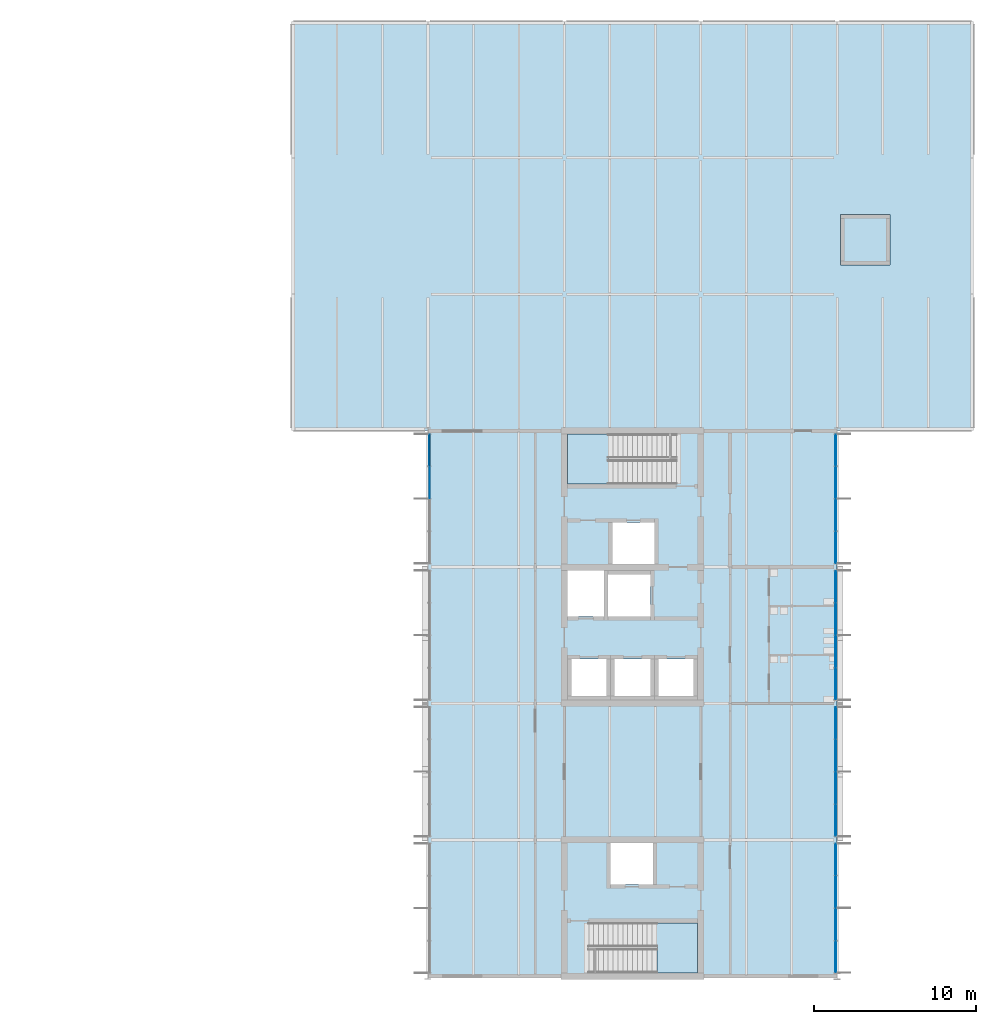
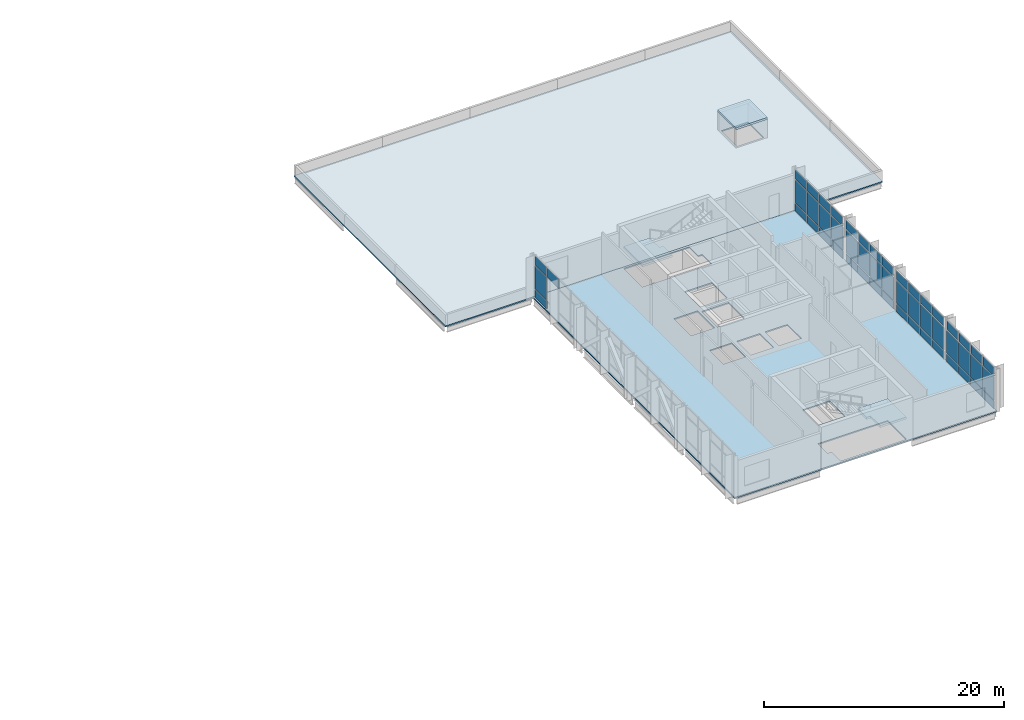
# One storey, part 12 of 26: 52 plates, 5 slabs, 7 elements without a shape of their own.
"""IFC4 building model written with IfcOpenShell, lengths in metres."""

from ifc_helpers import new_model, si_unit, direction, frame, origin, origin_2d, place, context, subcontext, project, spatial, polyline, rectangle, outline, extrude, material, layer, layer_set, type_object, element, aggregate, save


model = new_model("IFC4")

# Units and contexts
model_context = context("Model", 3, precision=1e-05, world=origin(), true_north=direction((0.0, 1.0)))
body_context = subcontext(model_context, "Body", "Model", "MODEL_VIEW")
ifc_project = project(units=[si_unit("LENGTHUNIT", "METRE"), si_unit("AREAUNIT", "SQUARE_METRE"), si_unit("VOLUMEUNIT", "CUBIC_METRE"), si_unit("PLANEANGLEUNIT", "RADIAN"), si_unit("MASSUNIT", "GRAM", prefix="KILO")], contexts=[model_context])

# Site, building, storey
site_placement = place(None, origin())
site = spatial("IfcSite", under=ifc_project, at=site_placement, CompositionType="ELEMENT")
building_placement = place(site_placement, origin())
building = spatial("IfcBuilding", under=site, at=building_placement, Name="Hlaing Beacon Police Headquarters", CompositionType="ELEMENT")
storey_placement = place(building_placement, frame((0.0, 0.0, 23.39990234375)))
storey = spatial("IfcBuildingStorey", under=building, at=storey_placement, Name="L05", CompositionType="ELEMENT", Elevation=23.39990234375)

# Curtain wall, plates
ifc_material_1 = material(Name="Aluminium frame with solar control glazing", Category="aluminium")
curtain_wall_type_1 = type_object("IfcCurtainWallType", Name="Unitised curtain wall 8.02 x 4.37", PredefinedType="NOTDEFINED", material=ifc_material_1)
curtain_wall_1_placement = place(storey_placement, origin())
curtain_wall_1 = element("IfcCurtainWall", 1, at=curtain_wall_1_placement, inside=storey, type_object=curtain_wall_type_1, Name="ENV-CW-L05-E001", PredefinedType="NOTDEFINED")
ifc_material_2 = material(Name="Solar control glazing", Category="glass")
ifc_layer_1 = layer(ifc_material_2, 0.0439453125)
ifc_layer_set_1 = layer_set([ifc_layer_1], Name="Solar control glazing")
plate_type_1 = type_object("IfcPlateType", Name="Clear glazing panel 44", PredefinedType="CURTAIN_PANEL", material=ifc_layer_set_1)
plate_1_placement = place(storey_placement, frame((125.89990234375, 36.802978515625, 0.9501953125), z_axis=(0.0, 0.0, 1.0), x_axis=(0.0, 1.0, 0.0)))
plate_1 = element("IfcPlate", 2, at=plate_1_placement, type_object=plate_type_1, Name="CW-L05-E001 panel 2.2", PredefinedType="CURTAIN_PANEL", context=body_context, shape_type="SweptSolid", body=[
    extrude(rectangle(XDim=1.944091796875, YDim=0.0439453125, at=origin_2d()), origin(), (0.0, 0.0, 1.0), 2.300048828125),
])
plate_2_placement = place(storey_placement, frame((125.89990234375, 40.796142578125, 0.9501953125), z_axis=(0.0, 0.0, 1.0), x_axis=(0.0, 1.0, 0.0)))
plate_2 = element("IfcPlate", 3, at=plate_2_placement, type_object=plate_type_1, Name="CW-L05-E001 panel 4.2", PredefinedType="CURTAIN_PANEL", context=body_context, shape_type="SweptSolid", body=[
    extrude(rectangle(XDim=1.9140625, YDim=0.0439453125, at=origin_2d()), origin(), (0.0, 0.0, 1.0), 2.300048828125),
])

ifc_material_3 = material(Name="Aluminium frame with solar control glazing", Category="aluminium")
curtain_wall_type_2 = type_object("IfcCurtainWallType", Name="Unitised curtain wall 8.03 x 4.37", PredefinedType="NOTDEFINED", material=ifc_material_3)
curtain_wall_2_placement = place(storey_placement, origin())
curtain_wall_2 = element("IfcCurtainWall", 4, at=curtain_wall_2_placement, inside=storey, type_object=curtain_wall_type_2, Name="ENV-CW-L05-E002", PredefinedType="NOTDEFINED")
plate_3_placement = place(storey_placement, frame((125.909912109375, 45.19677734375, 0.9501953125), z_axis=(0.0, 0.0, 1.0), x_axis=(0.0, 1.0, 0.0)))
plate_3 = element("IfcPlate", 5, at=plate_3_placement, type_object=plate_type_1, Name="CW-L05-E002 panel 2.2", PredefinedType="CURTAIN_PANEL", context=body_context, shape_type="SweptSolid", body=[
    extrude(rectangle(XDim=1.946533203125, YDim=0.0439453125, at=origin_2d()), origin(), (0.0, 0.0, 1.0), 2.300048828125),
])
plate_4_placement = place(storey_placement, frame((125.909912109375, 49.195068359375, 0.9501953125), z_axis=(0.0, 0.0, 1.0), x_axis=(0.0, 1.0, 0.0)))
plate_4 = element("IfcPlate", 6, at=plate_4_placement, type_object=plate_type_1, Name="CW-L05-E002 panel 4.2", PredefinedType="CURTAIN_PANEL", context=body_context, shape_type="SweptSolid", body=[
    extrude(rectangle(XDim=1.916748046875, YDim=0.0439453125, at=origin_2d()), origin(), (0.0, 0.0, 1.0), 2.300048828125),
])

curtain_wall_3_placement = place(storey_placement, origin())
curtain_wall_3 = element("IfcCurtainWall", 7, at=curtain_wall_3_placement, inside=storey, type_object=curtain_wall_type_2, Name="ENV-CW-L05-E003", PredefinedType="NOTDEFINED")
plate_5_placement = place(storey_placement, frame((125.909912109375, 53.5966796875, 0.9501953125), z_axis=(0.0, 0.0, 1.0), x_axis=(0.0, 1.0, 0.0)))
plate_5 = element("IfcPlate", 8, at=plate_5_placement, type_object=plate_type_1, Name="CW-L05-E003 panel 2.2", PredefinedType="CURTAIN_PANEL", context=body_context, shape_type="SweptSolid", body=[
    extrude(rectangle(XDim=1.946533203125, YDim=0.0439453125, at=origin_2d()), origin(), (0.0, 0.0, 1.0), 2.300048828125),
])
plate_6_placement = place(storey_placement, frame((125.909912109375, 57.594970703125, 0.9501953125), z_axis=(0.0, 0.0, 1.0), x_axis=(0.0, 1.0, 0.0)))
plate_6 = element("IfcPlate", 9, at=plate_6_placement, type_object=plate_type_1, Name="CW-L05-E003 panel 4.2", PredefinedType="CURTAIN_PANEL", context=body_context, shape_type="SweptSolid", body=[
    extrude(rectangle(XDim=1.916748046875, YDim=0.0439453125, at=origin_2d()), origin(), (0.0, 0.0, 1.0), 2.300048828125),
])

curtain_wall_4_placement = place(storey_placement, origin())
curtain_wall_4 = element("IfcCurtainWall", 10, at=curtain_wall_4_placement, inside=storey, type_object=curtain_wall_type_2, Name="ENV-CW-L05-E004", PredefinedType="NOTDEFINED")
plate_7_placement = place(storey_placement, frame((125.89990234375, 61.99853515625, 0.9501953125), z_axis=(0.0, 0.0, 1.0), x_axis=(0.0, 1.0, 0.0)))
plate_7 = element("IfcPlate", 11, at=plate_7_placement, type_object=plate_type_1, Name="CW-L05-E004 panel 2.2", PredefinedType="CURTAIN_PANEL", context=body_context, shape_type="SweptSolid", body=[
    extrude(rectangle(XDim=1.947998046875, YDim=0.0439453125, at=origin_2d()), origin(), (0.0, 0.0, 1.0), 2.300048828125),
])
plate_8_placement = place(storey_placement, frame((125.89990234375, 65.99951171875, 0.9501953125), z_axis=(0.0, 0.0, 1.0), x_axis=(0.0, 1.0, 0.0)))
plate_8 = element("IfcPlate", 12, at=plate_8_placement, type_object=plate_type_1, Name="CW-L05-E004 panel 4.2", PredefinedType="CURTAIN_PANEL", context=body_context, shape_type="SweptSolid", body=[
    extrude(rectangle(XDim=1.91796875, YDim=0.0439453125, at=origin_2d()), origin(), (0.0, 0.0, 1.0), 2.300048828125),
])

# Slab
ifc_material_4 = material(Name="Concrete C40/50", Category="concrete")
ifc_layer_2 = layer(ifc_material_4, 0.1298828125)
ifc_layer_set_2 = layer_set([ifc_layer_2], Name="Concrete C40/50")
slab_type_1 = type_object("IfcSlabType", Name="Composite deck slab 130", PredefinedType="FLOOR", material=ifc_layer_set_2)
slab_1_placement = place(storey_placement, frame((0.0, 0.0, -0.1298828125)))
element("IfcSlab", 13, at=slab_1_placement, inside=storey, type_object=slab_type_1, Name="STR-SLAB-L05-02", PredefinedType="FLOOR", context=body_context, shape_type="SweptSolid", body=[
    extrude(outline(polyline([(100.800048828125, 33.60009765625), (126.0, 33.60009765625), (126.0, 67.199951171875), (100.800048828125, 67.199951171875), (100.800048828125, 33.60009765625)]), holes=[polyline([(109.39990234375, 55.75), (111.64990234375, 55.75), (111.64990234375, 58.60009765625), (109.39990234375, 58.60009765625), (109.39990234375, 55.75)]), polyline([(109.39990234375, 63.89990234375), (116.090087890625, 63.89990234375), (116.090087890625, 65.5), (115.699951171875, 65.5), (115.699951171875, 67.0), (109.39990234375, 67.0), (109.39990234375, 63.89990234375)]), polyline([(109.64990234375, 50.85009765625), (111.800048828125, 50.85009765625), (111.800048828125, 53.14990234375), (109.64990234375, 53.14990234375), (109.64990234375, 50.85009765625)]), polyline([(111.10009765625, 33.800048828125), (117.39990234375, 33.800048828125), (117.39990234375, 36.89990234375), (110.7099609375, 36.89990234375), (110.7099609375, 35.300048828125), (111.10009765625, 35.300048828125), (111.10009765625, 33.800048828125)]), polyline([(111.89990234375, 55.75), (114.5, 55.75), (114.5, 58.35009765625), (111.89990234375, 58.35009765625), (111.89990234375, 55.75)]), polyline([(112.050048828125, 39.25), (114.64990234375, 39.25), (114.64990234375, 41.800048828125), (112.050048828125, 41.800048828125), (112.050048828125, 39.25)]), polyline([(112.14990234375, 59.0), (114.75, 59.0), (114.75, 61.550048828125), (112.14990234375, 61.550048828125), (112.14990234375, 59.0)]), polyline([(112.300048828125, 50.85009765625), (114.5, 50.85009765625), (114.5, 53.14990234375), (112.300048828125, 53.14990234375), (112.300048828125, 50.85009765625)]), polyline([(115.0, 50.85009765625), (117.14990234375, 50.85009765625), (117.14990234375, 53.14990234375), (115.0, 53.14990234375), (115.0, 50.85009765625)])]), origin(), (0.0, 0.0, 1.0), 0.1298828125),
])

# Plate
ifc_material_5 = material(Name="Fritted solar control glazing", Category="glass")
ifc_layer_3 = layer(ifc_material_5, 0.0439453125)
ifc_layer_set_3 = layer_set([ifc_layer_3], Name="Fritted solar control glazing")
plate_type_2 = type_object("IfcPlateType", Name="Fritted glazing panel 44", PredefinedType="CURTAIN_PANEL", material=ifc_layer_set_3)
plate_9_placement = place(storey_placement, frame((125.89990234375, 34.81396484375, 0.9501953125), z_axis=(0.0, 0.0, 1.0), x_axis=(0.0, 1.0, 0.0)))
plate_9 = element("IfcPlate", 14, at=plate_9_placement, type_object=plate_type_2, Name="CW-L05-E001 panel 1.2", PredefinedType="CURTAIN_PANEL", context=body_context, shape_type="SweptSolid", body=[
    extrude(rectangle(XDim=1.9140625, YDim=0.0439453125, at=origin_2d()), origin(), (0.0, 0.0, 1.0), 2.300048828125),
])

plate_10_placement = place(storey_placement, frame((125.89990234375, 38.80712890625, 0.9501953125), z_axis=(0.0, 0.0, 1.0), x_axis=(0.0, 1.0, 0.0)))
plate_10 = element("IfcPlate", 15, at=plate_10_placement, type_object=plate_type_2, Name="CW-L05-E001 panel 3.2", PredefinedType="CURTAIN_PANEL", context=body_context, shape_type="SweptSolid", body=[
    extrude(rectangle(XDim=1.944091796875, YDim=0.0439453125, at=origin_2d()), origin(), (0.0, 0.0, 1.0), 2.300048828125),
])

plate_11_placement = place(storey_placement, frame((125.909912109375, 43.205078125, 0.9501953125), z_axis=(0.0, 0.0, 1.0), x_axis=(0.0, 1.0, 0.0)))
plate_11 = element("IfcPlate", 16, at=plate_11_placement, type_object=plate_type_2, Name="CW-L05-E002 panel 1.2", PredefinedType="CURTAIN_PANEL", context=body_context, shape_type="SweptSolid", body=[
    extrude(rectangle(XDim=1.916748046875, YDim=0.0439453125, at=origin_2d()), origin(), (0.0, 0.0, 1.0), 2.300048828125),
])

plate_12_placement = place(storey_placement, frame((125.909912109375, 47.203369140625, 0.9501953125), z_axis=(0.0, 0.0, 1.0), x_axis=(0.0, 1.0, 0.0)))
plate_12 = element("IfcPlate", 17, at=plate_12_placement, type_object=plate_type_2, Name="CW-L05-E002 panel 3.2", PredefinedType="CURTAIN_PANEL", context=body_context, shape_type="SweptSolid", body=[
    extrude(rectangle(XDim=1.946533203125, YDim=0.0439453125, at=origin_2d()), origin(), (0.0, 0.0, 1.0), 2.300048828125),
])

plate_13_placement = place(storey_placement, frame((125.909912109375, 51.60498046875, 0.9501953125), z_axis=(0.0, 0.0, 1.0), x_axis=(0.0, 1.0, 0.0)))
plate_13 = element("IfcPlate", 18, at=plate_13_placement, type_object=plate_type_2, Name="CW-L05-E003 panel 1.2", PredefinedType="CURTAIN_PANEL", context=body_context, shape_type="SweptSolid", body=[
    extrude(rectangle(XDim=1.916748046875, YDim=0.0439453125, at=origin_2d()), origin(), (0.0, 0.0, 1.0), 2.300048828125),
])

plate_14_placement = place(storey_placement, frame((125.909912109375, 55.603271484375, 0.9501953125), z_axis=(0.0, 0.0, 1.0), x_axis=(0.0, 1.0, 0.0)))
plate_14 = element("IfcPlate", 19, at=plate_14_placement, type_object=plate_type_2, Name="CW-L05-E003 panel 3.2", PredefinedType="CURTAIN_PANEL", context=body_context, shape_type="SweptSolid", body=[
    extrude(rectangle(XDim=1.946533203125, YDim=0.0439453125, at=origin_2d()), origin(), (0.0, 0.0, 1.0), 2.300048828125),
])

plate_15_placement = place(storey_placement, frame((125.89990234375, 60.005615234375, 0.9501953125), z_axis=(0.0, 0.0, 1.0), x_axis=(0.0, 1.0, 0.0)))
plate_15 = element("IfcPlate", 20, at=plate_15_placement, type_object=plate_type_2, Name="CW-L05-E004 panel 1.2", PredefinedType="CURTAIN_PANEL", context=body_context, shape_type="SweptSolid", body=[
    extrude(rectangle(XDim=1.91796875, YDim=0.0439453125, at=origin_2d()), origin(), (0.0, 0.0, 1.0), 2.300048828125),
])

plate_16_placement = place(storey_placement, frame((125.89990234375, 64.006591796875, 0.9501953125), z_axis=(0.0, 0.0, 1.0), x_axis=(0.0, 1.0, 0.0)))
plate_16 = element("IfcPlate", 21, at=plate_16_placement, type_object=plate_type_2, Name="CW-L05-E004 panel 3.2", PredefinedType="CURTAIN_PANEL", context=body_context, shape_type="SweptSolid", body=[
    extrude(rectangle(XDim=1.947998046875, YDim=0.0439453125, at=origin_2d()), origin(), (0.0, 0.0, 1.0), 2.300048828125),
])

# Curtain wall, plate
curtain_wall_5_placement = place(storey_placement, origin())
curtain_wall_5 = element("IfcCurtainWall", 22, at=curtain_wall_5_placement, inside=storey, type_object=curtain_wall_type_2, Name="ENV-CW-L05-W005", PredefinedType="NOTDEFINED")
plate_17_placement = place(storey_placement, frame((100.89990234375, 65.99951171875, 0.9501953125), z_axis=(0.0, 0.0, 1.0), x_axis=(0.0, -1.0, 0.0)))
plate_17 = element("IfcPlate", 23, at=plate_17_placement, type_object=plate_type_2, Name="CW-L05-W005 panel 1.2", PredefinedType="CURTAIN_PANEL", context=body_context, shape_type="SweptSolid", body=[
    extrude(rectangle(XDim=1.91796875, YDim=0.0439453125, at=origin_2d()), origin(), (0.0, 0.0, 1.0), 2.300048828125),
])

# Plate
ifc_material_6 = material(Name="Insulated aluminium spandrel", Category="aluminium")
ifc_layer_4 = layer(ifc_material_6, 0.06005859375)
ifc_layer_set_4 = layer_set([ifc_layer_4], Name="Insulated aluminium spandrel")
plate_type_3 = type_object("IfcPlateType", Name="Insulated spandrel panel 60", PredefinedType="CURTAIN_PANEL", material=ifc_layer_set_4)
plate_18_placement = place(storey_placement, frame((125.89990234375, 34.81396484375, 0.10009765625), z_axis=(0.0, 0.0, 1.0), x_axis=(0.0, 1.0, 0.0)))
plate_18 = element("IfcPlate", 24, at=plate_18_placement, type_object=plate_type_3, Name="CW-L05-E001 panel 1.1", PredefinedType="CURTAIN_PANEL", context=body_context, shape_type="SweptSolid", body=[
    extrude(rectangle(XDim=1.9140625, YDim=0.06005859375, at=origin_2d()), origin(), (0.0, 0.0, 1.0), 0.75),
])

plate_19_placement = place(storey_placement, frame((125.89990234375, 36.802978515625, 0.10009765625), z_axis=(0.0, 0.0, 1.0), x_axis=(0.0, 1.0, 0.0)))
plate_19 = element("IfcPlate", 25, at=plate_19_placement, type_object=plate_type_3, Name="CW-L05-E001 panel 2.1", PredefinedType="CURTAIN_PANEL", context=body_context, shape_type="SweptSolid", body=[
    extrude(rectangle(XDim=1.944091796875, YDim=0.06005859375, at=origin_2d()), origin(), (0.0, 0.0, 1.0), 0.75),
])

plate_20_placement = place(storey_placement, frame((125.89990234375, 38.80712890625, 0.10009765625), z_axis=(0.0, 0.0, 1.0), x_axis=(0.0, 1.0, 0.0)))
plate_20 = element("IfcPlate", 26, at=plate_20_placement, type_object=plate_type_3, Name="CW-L05-E001 panel 3.1", PredefinedType="CURTAIN_PANEL", context=body_context, shape_type="SweptSolid", body=[
    extrude(rectangle(XDim=1.944091796875, YDim=0.06005859375, at=origin_2d()), origin(), (0.0, 0.0, 1.0), 0.75),
])

plate_21_placement = place(storey_placement, frame((125.89990234375, 40.796142578125, 0.10009765625), z_axis=(0.0, 0.0, 1.0), x_axis=(0.0, 1.0, 0.0)))
plate_21 = element("IfcPlate", 27, at=plate_21_placement, type_object=plate_type_3, Name="CW-L05-E001 panel 4.1", PredefinedType="CURTAIN_PANEL", context=body_context, shape_type="SweptSolid", body=[
    extrude(rectangle(XDim=1.9140625, YDim=0.06005859375, at=origin_2d()), origin(), (0.0, 0.0, 1.0), 0.75),
])

plate_22_placement = place(storey_placement, frame((125.909912109375, 43.205078125, 0.10009765625), z_axis=(0.0, 0.0, 1.0), x_axis=(0.0, 1.0, 0.0)))
plate_22 = element("IfcPlate", 28, at=plate_22_placement, type_object=plate_type_3, Name="CW-L05-E002 panel 1.1", PredefinedType="CURTAIN_PANEL", context=body_context, shape_type="SweptSolid", body=[
    extrude(rectangle(XDim=1.916748046875, YDim=0.06005859375, at=origin_2d()), origin(), (0.0, 0.0, 1.0), 0.75),
])

plate_23_placement = place(storey_placement, frame((125.909912109375, 45.19677734375, 0.10009765625), z_axis=(0.0, 0.0, 1.0), x_axis=(0.0, 1.0, 0.0)))
plate_23 = element("IfcPlate", 29, at=plate_23_placement, type_object=plate_type_3, Name="CW-L05-E002 panel 2.1", PredefinedType="CURTAIN_PANEL", context=body_context, shape_type="SweptSolid", body=[
    extrude(rectangle(XDim=1.946533203125, YDim=0.06005859375, at=origin_2d()), origin(), (0.0, 0.0, 1.0), 0.75),
])

plate_24_placement = place(storey_placement, frame((125.909912109375, 47.203369140625, 0.10009765625), z_axis=(0.0, 0.0, 1.0), x_axis=(0.0, 1.0, 0.0)))
plate_24 = element("IfcPlate", 30, at=plate_24_placement, type_object=plate_type_3, Name="CW-L05-E002 panel 3.1", PredefinedType="CURTAIN_PANEL", context=body_context, shape_type="SweptSolid", body=[
    extrude(rectangle(XDim=1.946533203125, YDim=0.06005859375, at=origin_2d()), origin(), (0.0, 0.0, 1.0), 0.75),
])

plate_25_placement = place(storey_placement, frame((125.909912109375, 49.195068359375, 0.10009765625), z_axis=(0.0, 0.0, 1.0), x_axis=(0.0, 1.0, 0.0)))
plate_25 = element("IfcPlate", 31, at=plate_25_placement, type_object=plate_type_3, Name="CW-L05-E002 panel 4.1", PredefinedType="CURTAIN_PANEL", context=body_context, shape_type="SweptSolid", body=[
    extrude(rectangle(XDim=1.916748046875, YDim=0.06005859375, at=origin_2d()), origin(), (0.0, 0.0, 1.0), 0.75),
])

plate_26_placement = place(storey_placement, frame((125.909912109375, 51.60498046875, 0.10009765625), z_axis=(0.0, 0.0, 1.0), x_axis=(0.0, 1.0, 0.0)))
plate_26 = element("IfcPlate", 32, at=plate_26_placement, type_object=plate_type_3, Name="CW-L05-E003 panel 1.1", PredefinedType="CURTAIN_PANEL", context=body_context, shape_type="SweptSolid", body=[
    extrude(rectangle(XDim=1.916748046875, YDim=0.06005859375, at=origin_2d()), origin(), (0.0, 0.0, 1.0), 0.75),
])

plate_27_placement = place(storey_placement, frame((125.909912109375, 53.5966796875, 0.10009765625), z_axis=(0.0, 0.0, 1.0), x_axis=(0.0, 1.0, 0.0)))
plate_27 = element("IfcPlate", 33, at=plate_27_placement, type_object=plate_type_3, Name="CW-L05-E003 panel 2.1", PredefinedType="CURTAIN_PANEL", context=body_context, shape_type="SweptSolid", body=[
    extrude(rectangle(XDim=1.946533203125, YDim=0.06005859375, at=origin_2d()), origin(), (0.0, 0.0, 1.0), 0.75),
])

plate_28_placement = place(storey_placement, frame((125.909912109375, 55.603271484375, 0.10009765625), z_axis=(0.0, 0.0, 1.0), x_axis=(0.0, 1.0, 0.0)))
plate_28 = element("IfcPlate", 34, at=plate_28_placement, type_object=plate_type_3, Name="CW-L05-E003 panel 3.1", PredefinedType="CURTAIN_PANEL", context=body_context, shape_type="SweptSolid", body=[
    extrude(rectangle(XDim=1.946533203125, YDim=0.06005859375, at=origin_2d()), origin(), (0.0, 0.0, 1.0), 0.75),
])

plate_29_placement = place(storey_placement, frame((125.909912109375, 57.594970703125, 0.10009765625), z_axis=(0.0, 0.0, 1.0), x_axis=(0.0, 1.0, 0.0)))
plate_29 = element("IfcPlate", 35, at=plate_29_placement, type_object=plate_type_3, Name="CW-L05-E003 panel 4.1", PredefinedType="CURTAIN_PANEL", context=body_context, shape_type="SweptSolid", body=[
    extrude(rectangle(XDim=1.916748046875, YDim=0.06005859375, at=origin_2d()), origin(), (0.0, 0.0, 1.0), 0.75),
])

plate_30_placement = place(storey_placement, frame((125.89990234375, 60.005615234375, 0.10009765625), z_axis=(0.0, 0.0, 1.0), x_axis=(0.0, 1.0, 0.0)))
plate_30 = element("IfcPlate", 36, at=plate_30_placement, type_object=plate_type_3, Name="CW-L05-E004 panel 1.1", PredefinedType="CURTAIN_PANEL", context=body_context, shape_type="SweptSolid", body=[
    extrude(rectangle(XDim=1.91796875, YDim=0.06005859375, at=origin_2d()), origin(), (0.0, 0.0, 1.0), 0.75),
])

plate_31_placement = place(storey_placement, frame((125.89990234375, 61.99853515625, 0.10009765625), z_axis=(0.0, 0.0, 1.0), x_axis=(0.0, 1.0, 0.0)))
plate_31 = element("IfcPlate", 37, at=plate_31_placement, type_object=plate_type_3, Name="CW-L05-E004 panel 2.1", PredefinedType="CURTAIN_PANEL", context=body_context, shape_type="SweptSolid", body=[
    extrude(rectangle(XDim=1.947998046875, YDim=0.06005859375, at=origin_2d()), origin(), (0.0, 0.0, 1.0), 0.75),
])

plate_32_placement = place(storey_placement, frame((125.89990234375, 64.006591796875, 0.10009765625), z_axis=(0.0, 0.0, 1.0), x_axis=(0.0, 1.0, 0.0)))
plate_32 = element("IfcPlate", 38, at=plate_32_placement, type_object=plate_type_3, Name="CW-L05-E004 panel 3.1", PredefinedType="CURTAIN_PANEL", context=body_context, shape_type="SweptSolid", body=[
    extrude(rectangle(XDim=1.947998046875, YDim=0.06005859375, at=origin_2d()), origin(), (0.0, 0.0, 1.0), 0.75),
])

plate_33_placement = place(storey_placement, frame((125.89990234375, 65.99951171875, 0.10009765625), z_axis=(0.0, 0.0, 1.0), x_axis=(0.0, 1.0, 0.0)))
plate_33 = element("IfcPlate", 39, at=plate_33_placement, type_object=plate_type_3, Name="CW-L05-E004 panel 4.1", PredefinedType="CURTAIN_PANEL", context=body_context, shape_type="SweptSolid", body=[
    extrude(rectangle(XDim=1.91796875, YDim=0.06005859375, at=origin_2d()), origin(), (0.0, 0.0, 1.0), 0.75),
])

ifc_material_7 = material(Name="Insulated aluminium spandrel", Category="aluminium")
ifc_layer_5 = layer(ifc_material_7, 0.080078125)
ifc_layer_set_5 = layer_set([ifc_layer_5], Name="Insulated aluminium spandrel")
plate_type_4 = type_object("IfcPlateType", Name="Insulated spandrel panel 80", PredefinedType="CURTAIN_PANEL", material=ifc_layer_set_5)
plate_34_placement = place(storey_placement, frame((100.89990234375, 65.99951171875, 0.10009765625), z_axis=(0.0, 0.0, 1.0), x_axis=(0.0, -1.0, 0.0)))
plate_34 = element("IfcPlate", 40, at=plate_34_placement, type_object=plate_type_4, Name="CW-L05-W005 panel 1.1", PredefinedType="CURTAIN_PANEL", context=body_context, shape_type="SweptSolid", body=[
    extrude(rectangle(XDim=1.91796875, YDim=0.080078125, at=origin_2d()), origin(), (0.0, 0.0, 1.0), 0.75),
])

# Slab
ifc_material_8 = material(Name="Concrete C40/50", Category="concrete")
ifc_layer_6 = layer(ifc_material_8, 0.199951171875)
ifc_layer_set_6 = layer_set([ifc_layer_6], Name="Concrete C40/50")
slab_type_2 = type_object("IfcSlabType", Name="Overrun roof slab 200", PredefinedType="ROOF", material=ifc_layer_set_6)
slab_2_placement = place(storey_placement, frame((0.0, 0.0, 1.900146484375)))
element("IfcSlab", 41, at=slab_2_placement, inside=storey, type_object=slab_type_2, Name="Lift overrun roof", PredefinedType="ROOF", context=body_context, shape_type="SweptSolid", body=[
    extrude(outline(polyline([(126.199951171875, 77.39990234375), (129.25, 77.39990234375), (129.25, 80.5), (126.199951171875, 80.5), (126.199951171875, 77.39990234375)])), origin(), (0.0, 0.0, 1.0), 0.199951171875),
])

# Plate
ifc_material_9 = material(Name="Perforated aluminium", Category="aluminium")
ifc_layer_7 = layer(ifc_material_9, 0.00390625)
ifc_layer_set_7 = layer_set([ifc_layer_7], Name="Perforated aluminium")
plate_type_5 = type_object("IfcPlateType", Name="Perforated aluminium vent panel 4", PredefinedType="CURTAIN_PANEL", material=ifc_layer_set_7)
plate_35_placement = place(storey_placement, frame((125.89990234375, 34.81396484375, 3.35009765625), z_axis=(0.0, 0.0, 1.0), x_axis=(0.0, 1.0, 0.0)))
plate_35 = element("IfcPlate", 42, at=plate_35_placement, type_object=plate_type_5, Name="CW-L05-E001 panel 1.3", PredefinedType="CURTAIN_PANEL", context=body_context, shape_type="SweptSolid", body=[
    extrude(rectangle(XDim=1.9140625, YDim=0.00390625, at=origin_2d()), origin(), (0.0, 0.0, 1.0), 0.919921875),
])

plate_36_placement = place(storey_placement, frame((125.89990234375, 36.802978515625, 3.35009765625), z_axis=(0.0, 0.0, 1.0), x_axis=(0.0, 1.0, 0.0)))
plate_36 = element("IfcPlate", 43, at=plate_36_placement, type_object=plate_type_5, Name="CW-L05-E001 panel 2.3", PredefinedType="CURTAIN_PANEL", context=body_context, shape_type="SweptSolid", body=[
    extrude(rectangle(XDim=1.944091796875, YDim=0.00390625, at=origin_2d()), origin(), (0.0, 0.0, 1.0), 0.919921875),
])

plate_37_placement = place(storey_placement, frame((125.89990234375, 38.80712890625, 3.35009765625), z_axis=(0.0, 0.0, 1.0), x_axis=(0.0, 1.0, 0.0)))
plate_37 = element("IfcPlate", 44, at=plate_37_placement, type_object=plate_type_5, Name="CW-L05-E001 panel 3.3", PredefinedType="CURTAIN_PANEL", context=body_context, shape_type="SweptSolid", body=[
    extrude(rectangle(XDim=1.944091796875, YDim=0.00390625, at=origin_2d()), origin(), (0.0, 0.0, 1.0), 0.919921875),
])

plate_38_placement = place(storey_placement, frame((125.89990234375, 40.796142578125, 3.35009765625), z_axis=(0.0, 0.0, 1.0), x_axis=(0.0, 1.0, 0.0)))
plate_38 = element("IfcPlate", 45, at=plate_38_placement, type_object=plate_type_5, Name="CW-L05-E001 panel 4.3", PredefinedType="CURTAIN_PANEL", context=body_context, shape_type="SweptSolid", body=[
    extrude(rectangle(XDim=1.9140625, YDim=0.00390625, at=origin_2d()), origin(), (0.0, 0.0, 1.0), 0.919921875),
])

aggregate(curtain_wall_1, [plate_18, plate_9, plate_35, plate_19, plate_1, plate_36, plate_20, plate_10, plate_37, plate_21, plate_2, plate_38])

plate_39_placement = place(storey_placement, frame((125.909912109375, 43.205078125, 3.35009765625), z_axis=(0.0, 0.0, 1.0), x_axis=(0.0, 1.0, 0.0)))
plate_39 = element("IfcPlate", 46, at=plate_39_placement, type_object=plate_type_5, Name="CW-L05-E002 panel 1.3", PredefinedType="CURTAIN_PANEL", context=body_context, shape_type="SweptSolid", body=[
    extrude(rectangle(XDim=1.916748046875, YDim=0.00390625, at=origin_2d()), origin(), (0.0, 0.0, 1.0), 0.919921875),
])

plate_40_placement = place(storey_placement, frame((125.909912109375, 45.19677734375, 3.35009765625), z_axis=(0.0, 0.0, 1.0), x_axis=(0.0, 1.0, 0.0)))
plate_40 = element("IfcPlate", 47, at=plate_40_placement, type_object=plate_type_5, Name="CW-L05-E002 panel 2.3", PredefinedType="CURTAIN_PANEL", context=body_context, shape_type="SweptSolid", body=[
    extrude(rectangle(XDim=1.946533203125, YDim=0.00390625, at=origin_2d()), origin(), (0.0, 0.0, 1.0), 0.919921875),
])

plate_41_placement = place(storey_placement, frame((125.909912109375, 47.203369140625, 3.35009765625), z_axis=(0.0, 0.0, 1.0), x_axis=(0.0, 1.0, 0.0)))
plate_41 = element("IfcPlate", 48, at=plate_41_placement, type_object=plate_type_5, Name="CW-L05-E002 panel 3.3", PredefinedType="CURTAIN_PANEL", context=body_context, shape_type="SweptSolid", body=[
    extrude(rectangle(XDim=1.946533203125, YDim=0.00390625, at=origin_2d()), origin(), (0.0, 0.0, 1.0), 0.919921875),
])

plate_42_placement = place(storey_placement, frame((125.909912109375, 49.195068359375, 3.35009765625), z_axis=(0.0, 0.0, 1.0), x_axis=(0.0, 1.0, 0.0)))
plate_42 = element("IfcPlate", 49, at=plate_42_placement, type_object=plate_type_5, Name="CW-L05-E002 panel 4.3", PredefinedType="CURTAIN_PANEL", context=body_context, shape_type="SweptSolid", body=[
    extrude(rectangle(XDim=1.916748046875, YDim=0.00390625, at=origin_2d()), origin(), (0.0, 0.0, 1.0), 0.919921875),
])

aggregate(curtain_wall_2, [plate_22, plate_11, plate_39, plate_23, plate_3, plate_40, plate_24, plate_12, plate_41, plate_25, plate_4, plate_42])

plate_43_placement = place(storey_placement, frame((125.909912109375, 51.60498046875, 3.35009765625), z_axis=(0.0, 0.0, 1.0), x_axis=(0.0, 1.0, 0.0)))
plate_43 = element("IfcPlate", 50, at=plate_43_placement, type_object=plate_type_5, Name="CW-L05-E003 panel 1.3", PredefinedType="CURTAIN_PANEL", context=body_context, shape_type="SweptSolid", body=[
    extrude(rectangle(XDim=1.916748046875, YDim=0.00390625, at=origin_2d()), origin(), (0.0, 0.0, 1.0), 0.919921875),
])

plate_44_placement = place(storey_placement, frame((125.909912109375, 53.5966796875, 3.35009765625), z_axis=(0.0, 0.0, 1.0), x_axis=(0.0, 1.0, 0.0)))
plate_44 = element("IfcPlate", 51, at=plate_44_placement, type_object=plate_type_5, Name="CW-L05-E003 panel 2.3", PredefinedType="CURTAIN_PANEL", context=body_context, shape_type="SweptSolid", body=[
    extrude(rectangle(XDim=1.946533203125, YDim=0.00390625, at=origin_2d()), origin(), (0.0, 0.0, 1.0), 0.919921875),
])

plate_45_placement = place(storey_placement, frame((125.909912109375, 55.603271484375, 3.35009765625), z_axis=(0.0, 0.0, 1.0), x_axis=(0.0, 1.0, 0.0)))
plate_45 = element("IfcPlate", 52, at=plate_45_placement, type_object=plate_type_5, Name="CW-L05-E003 panel 3.3", PredefinedType="CURTAIN_PANEL", context=body_context, shape_type="SweptSolid", body=[
    extrude(rectangle(XDim=1.946533203125, YDim=0.00390625, at=origin_2d()), origin(), (0.0, 0.0, 1.0), 0.919921875),
])

plate_46_placement = place(storey_placement, frame((125.909912109375, 57.594970703125, 3.35009765625), z_axis=(0.0, 0.0, 1.0), x_axis=(0.0, 1.0, 0.0)))
plate_46 = element("IfcPlate", 53, at=plate_46_placement, type_object=plate_type_5, Name="CW-L05-E003 panel 4.3", PredefinedType="CURTAIN_PANEL", context=body_context, shape_type="SweptSolid", body=[
    extrude(rectangle(XDim=1.916748046875, YDim=0.00390625, at=origin_2d()), origin(), (0.0, 0.0, 1.0), 0.919921875),
])

aggregate(curtain_wall_3, [plate_26, plate_13, plate_43, plate_27, plate_5, plate_44, plate_28, plate_14, plate_45, plate_29, plate_6, plate_46])

plate_47_placement = place(storey_placement, frame((125.89990234375, 60.005615234375, 3.35009765625), z_axis=(0.0, 0.0, 1.0), x_axis=(0.0, 1.0, 0.0)))
plate_47 = element("IfcPlate", 54, at=plate_47_placement, type_object=plate_type_5, Name="CW-L05-E004 panel 1.3", PredefinedType="CURTAIN_PANEL", context=body_context, shape_type="SweptSolid", body=[
    extrude(rectangle(XDim=1.91796875, YDim=0.00390625, at=origin_2d()), origin(), (0.0, 0.0, 1.0), 0.919921875),
])

plate_48_placement = place(storey_placement, frame((125.89990234375, 61.99853515625, 3.35009765625), z_axis=(0.0, 0.0, 1.0), x_axis=(0.0, 1.0, 0.0)))
plate_48 = element("IfcPlate", 55, at=plate_48_placement, type_object=plate_type_5, Name="CW-L05-E004 panel 2.3", PredefinedType="CURTAIN_PANEL", context=body_context, shape_type="SweptSolid", body=[
    extrude(rectangle(XDim=1.947998046875, YDim=0.00390625, at=origin_2d()), origin(), (0.0, 0.0, 1.0), 0.919921875),
])

plate_49_placement = place(storey_placement, frame((125.89990234375, 64.006591796875, 3.35009765625), z_axis=(0.0, 0.0, 1.0), x_axis=(0.0, 1.0, 0.0)))
plate_49 = element("IfcPlate", 56, at=plate_49_placement, type_object=plate_type_5, Name="CW-L05-E004 panel 3.3", PredefinedType="CURTAIN_PANEL", context=body_context, shape_type="SweptSolid", body=[
    extrude(rectangle(XDim=1.947998046875, YDim=0.00390625, at=origin_2d()), origin(), (0.0, 0.0, 1.0), 0.919921875),
])

plate_50_placement = place(storey_placement, frame((125.89990234375, 65.99951171875, 3.35009765625), z_axis=(0.0, 0.0, 1.0), x_axis=(0.0, 1.0, 0.0)))
plate_50 = element("IfcPlate", 57, at=plate_50_placement, type_object=plate_type_5, Name="CW-L05-E004 panel 4.3", PredefinedType="CURTAIN_PANEL", context=body_context, shape_type="SweptSolid", body=[
    extrude(rectangle(XDim=1.91796875, YDim=0.00390625, at=origin_2d()), origin(), (0.0, 0.0, 1.0), 0.919921875),
])

aggregate(curtain_wall_4, [plate_30, plate_15, plate_47, plate_31, plate_7, plate_48, plate_32, plate_16, plate_49, plate_33, plate_8, plate_50])

plate_51_placement = place(storey_placement, frame((100.89990234375, 65.99951171875, 3.35009765625), z_axis=(0.0, 0.0, 1.0), x_axis=(0.0, -1.0, 0.0)))
plate_51 = element("IfcPlate", 58, at=plate_51_placement, type_object=plate_type_5, Name="CW-L05-W005 panel 1.3", PredefinedType="CURTAIN_PANEL", context=body_context, shape_type="SweptSolid", body=[
    extrude(rectangle(XDim=1.91796875, YDim=0.00390625, at=origin_2d()), origin(), (0.0, 0.0, 1.0), 0.919921875),
])

plate_52_placement = place(storey_placement, frame((100.89990234375, 64.006591796875, 3.35009765625), z_axis=(0.0, 0.0, 1.0), x_axis=(0.0, -1.0, 0.0)))
plate_52 = element("IfcPlate", 59, at=plate_52_placement, type_object=plate_type_5, Name="CW-L05-W005 panel 2.3", PredefinedType="CURTAIN_PANEL", context=body_context, shape_type="SweptSolid", body=[
    extrude(rectangle(XDim=1.947998046875, YDim=0.00390625, at=origin_2d()), origin(), (0.0, 0.0, 1.0), 0.919921875),
])

aggregate(curtain_wall_5, [plate_34, plate_17, plate_51, plate_52])

# Slab
ifc_material_10 = material(Name="Concrete C40/50", Category="concrete")
ifc_layer_8 = layer(ifc_material_10, 0.1298828125)
ifc_layer_set_8 = layer_set([ifc_layer_8], Name="Concrete C40/50")
slab_type_3 = type_object("IfcSlabType", Name="Roof deck slab 130", PredefinedType="ROOF", material=ifc_layer_set_8)
slab_3_placement = place(storey_placement, frame((0.0, 0.0, -0.1298828125)))
element("IfcSlab", 60, at=slab_3_placement, inside=storey, type_object=slab_type_3, Name="STR-SLAB-L05-03", PredefinedType="ROOF", context=body_context, shape_type="SweptSolid", body=[
    extrude(outline(polyline([(92.39990234375, 67.199951171875), (134.39990234375, 67.199951171875), (134.39990234375, 92.39990234375), (92.39990234375, 92.39990234375), (92.39990234375, 67.199951171875)]), holes=[polyline([(126.449951171875, 77.64990234375), (129.0, 77.64990234375), (129.0, 80.25), (126.449951171875, 80.25), (126.449951171875, 77.64990234375)])]), origin(), (0.0, 0.0, 1.0), 0.1298828125),
])

# Stair, slab
ifc_material_11 = material(Name="Concrete C40/50", Category="concrete")
stair_type = type_object("IfcStairType", Name="Half-turn stair 1500 wide, 4500 rise", PredefinedType="HALF_TURN_STAIR", material=ifc_material_11)
stair_1_placement = place(storey_placement, origin())
stair_1 = element("IfcStair", 61, at=stair_1_placement, inside=storey, type_object=stair_type, Name="Stair ST-M", PredefinedType="HALF_TURN_STAIR")
ifc_material_12 = material(Name="Concrete C40/50", Category="concrete")
ifc_layer_9 = layer(ifc_material_12, 0.219970703125)
ifc_layer_set_9 = layer_set([ifc_layer_9], Name="Concrete C40/50")
slab_type_4 = type_object("IfcSlabType", Name="Stair landing 220", PredefinedType="LANDING", material=ifc_layer_set_9)
slab_4_placement = place(storey_placement, frame((0.0, 0.0, 2.030029296875)))
slab_4 = element("IfcSlab", 62, at=slab_4_placement, type_object=slab_type_4, Name="ST-M landing 1", PredefinedType="LANDING", context=body_context, shape_type="SweptSolid", body=[
    extrude(outline(polyline([(111.909912109375, 67.0), (109.39990234375, 67.0), (109.39990234375, 63.89990234375), (112.300048828125, 63.89990234375), (112.300048828125, 65.39990234375), (111.909912109375, 65.39990234375), (111.909912109375, 67.0)])), origin(), (0.0, 0.0, 1.0), 0.219970703125),
])
aggregate(stair_1, [slab_4])

stair_2_placement = place(storey_placement, origin())
stair_2 = element("IfcStair", 63, at=stair_2_placement, inside=storey, type_object=stair_type, Name="Stair ST-L", PredefinedType="HALF_TURN_STAIR")
slab_5_placement = place(storey_placement, frame((0.0, 0.0, 2.030029296875)))
slab_5 = element("IfcSlab", 64, at=slab_5_placement, type_object=slab_type_4, Name="ST-L landing 1", PredefinedType="LANDING", context=body_context, shape_type="SweptSolid", body=[
    extrude(outline(polyline([(114.889892578125, 33.800048828125), (117.39990234375, 33.800048828125), (117.39990234375, 36.89990234375), (114.5, 36.89990234375), (114.5, 35.39990234375), (114.889892578125, 35.39990234375), (114.889892578125, 33.800048828125)])), origin(), (0.0, 0.0, 1.0), 0.219970703125),
])
aggregate(stair_2, [slab_5])

save(model, "model.ifc")
